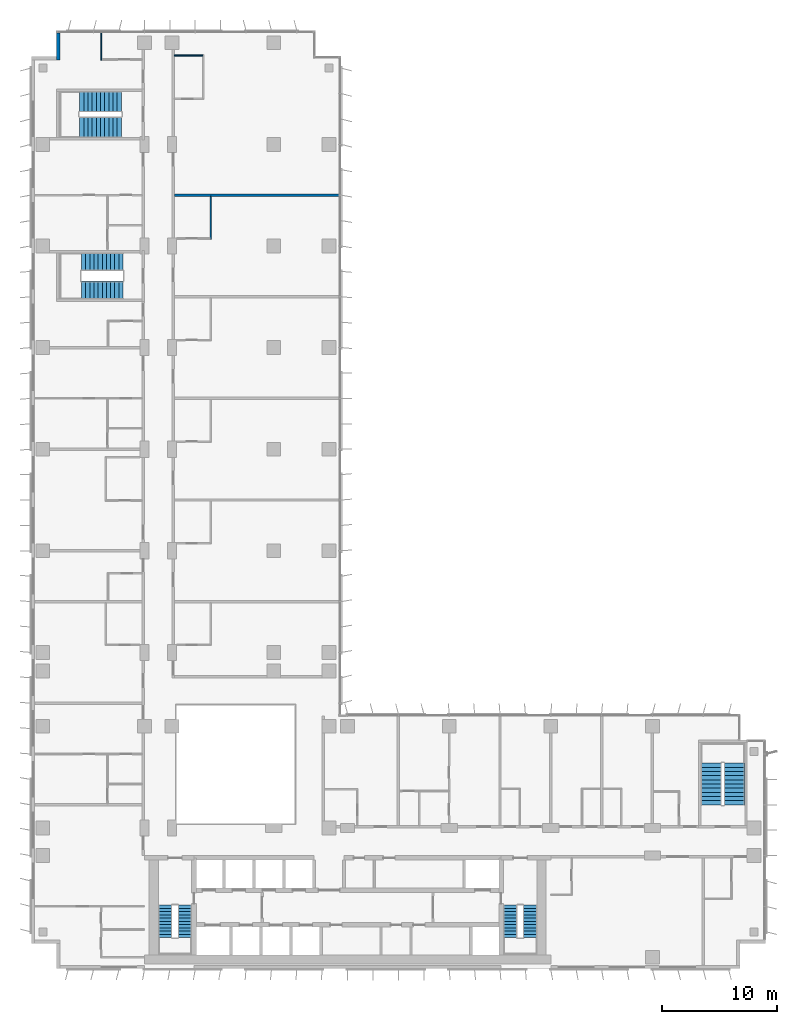
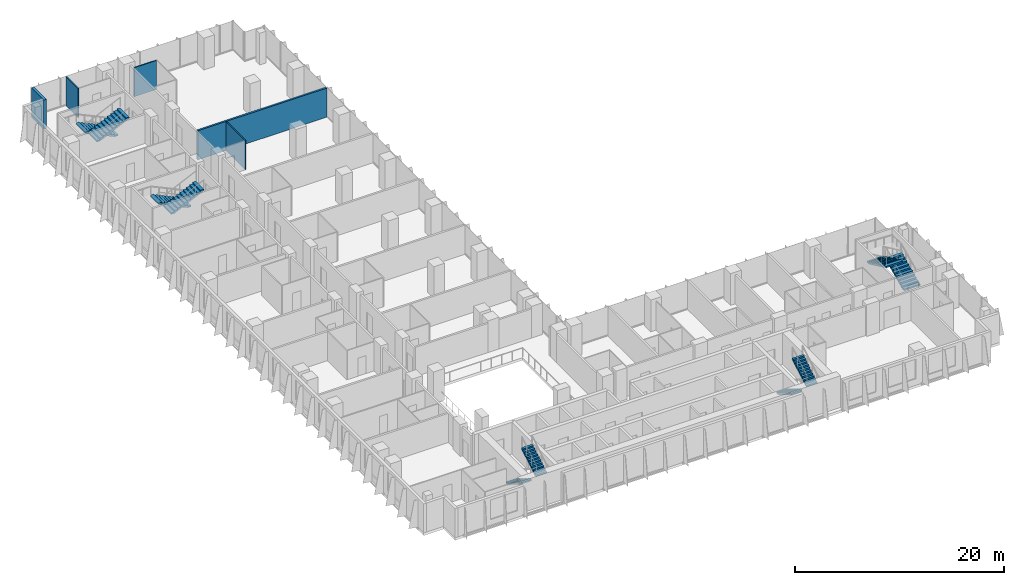
# One storey, part 18 of 22: 10 stair flights, 5 walls, 5 elements without a shape of their own.
"""IFC4 building model written with IfcOpenShell, lengths in metres."""

from ifc_helpers import new_model, si_unit, direction, frame, frame_2d, origin, place, context, subcontext, project, spatial, polyline, rectangle, outline, extrude, material, layer, layer_set, type_object, element, aggregate, save


model = new_model("IFC4")

# Units and contexts
model_context = context("Model", 3, precision=1e-05, world=origin(), true_north=direction((0.0, 1.0)))
body_context = subcontext(model_context, "Body", "Model", "MODEL_VIEW")
ifc_project = project(units=[si_unit("LENGTHUNIT", "METRE"), si_unit("AREAUNIT", "SQUARE_METRE"), si_unit("VOLUMEUNIT", "CUBIC_METRE"), si_unit("PLANEANGLEUNIT", "RADIAN"), si_unit("MASSUNIT", "GRAM", prefix="KILO")], contexts=[model_context])

# Site, building, storey
site_placement = place(None, origin())
site = spatial("IfcSite", under=ifc_project, at=site_placement, CompositionType="ELEMENT")
building_placement = place(site_placement, origin())
building = spatial("IfcBuilding", under=site, at=building_placement, Name="Kemantara Hotel Tower", CompositionType="ELEMENT")
storey_placement = place(building_placement, frame((0.0, 0.0, 145.699951171875)))
storey = spatial("IfcBuildingStorey", under=building, at=storey_placement, Name="L35", CompositionType="ELEMENT", Elevation=145.699951171875)

# Walls
ifc_material_1 = material(Name="Bronze anodised aluminium cladding on insulated steel stud wall", Category="steel")
ifc_layer_1 = layer(ifc_material_1, 0.300048828125)
ifc_layer_set_1 = layer_set([ifc_layer_1], Name="Bronze anodised aluminium cladding on insulated steel stud wall")
wall_type_1 = type_object("IfcWallType", Name="BRONZE METAL-CLAD EXTERNAL WALL 300", PredefinedType="STANDARD", material=ifc_layer_set_1)
wall_1_placement = place(storey_placement, frame((2.35009765625, 81.050048828125, 0.0), z_axis=(0.0, 0.0, 1.0), x_axis=(0.0, -1.0, 0.0)))
element("IfcWall", 1, at=wall_1_placement, inside=storey, type_object=wall_type_1, Name="EXTERNAL WALL L35 T2-R02", PredefinedType="STANDARD", context=body_context, shape_type="SweptSolid", body=[
    extrude(rectangle(XDim=2.35009765625, YDim=0.300048828125, at=frame_2d((1.175048828125, 0.0))), origin(), (0.0, 0.0, 1.0), 3.400146484375),
])
ifc_material_2 = material(Name="Gypsum board partition, steel studs and mineral wool, 200 mm", Category="steel")
ifc_layer_2 = layer(ifc_material_2, 0.199951171875)
ifc_layer_set_2 = layer_set([ifc_layer_2], Name="Gypsum board partition, steel studs and mineral wool, 200 mm")
wall_type_2 = type_object("IfcWallType", Name="GUEST ROOM PARTY WALL 200", PredefinedType="PARTITIONING", material=ifc_layer_set_2)
wall_2_placement = place(storey_placement, frame((12.39990234375, 67.0, 0.0), z_axis=(0.0, 0.0, 1.0), x_axis=(1.0, 0.0, 0.0)))
element("IfcWall", 2, at=wall_2_placement, inside=storey, type_object=wall_type_2, Name="GUEST ROOM PARTY WALL 200 044", PredefinedType="PARTITIONING", context=body_context, shape_type="SweptSolid", body=[
    extrude(rectangle(XDim=14.27001953125, YDim=0.199951171875, at=frame_2d((7.135009765625, 0.0))), origin(), (0.0, 0.0, 1.0), 3.400146484375),
])
ifc_material_3 = material(Name="Gypsum board partition on steel studs, 100 mm", Category="steel")
ifc_layer_3 = layer(ifc_material_3, 0.10009765625)
ifc_layer_set_3 = layer_set([ifc_layer_3], Name="Gypsum board partition on steel studs, 100 mm")
wall_type_3 = type_object("IfcWallType", Name="ROOM PARTITION 100", PredefinedType="PARTITIONING", material=ifc_layer_set_3)
wall_3_placement = place(storey_placement, frame((6.050048828125, 78.699951171875, 0.0), z_axis=(0.0, 0.0, 1.0), x_axis=(0.0, 1.0, 0.0)))
element("IfcWall", 3, at=wall_3_placement, inside=storey, type_object=wall_type_3, Name="ROOM PARTITION 100 063", PredefinedType="PARTITIONING", context=body_context, shape_type="SweptSolid", body=[
    extrude(rectangle(XDim=2.3701171875, YDim=0.10009765625, at=frame_2d((1.18505859375, 0.0))), origin(), (0.0, 0.0, 1.0), 3.400146484375),
])
wall_4_placement = place(storey_placement, frame((15.550048828125, 63.199951171875, 0.0), z_axis=(0.0, 0.0, 1.0), x_axis=(0.0, 1.0, 0.0)))
element("IfcWall", 4, at=wall_4_placement, inside=storey, type_object=wall_type_3, Name="ROOM PARTITION 100 091", PredefinedType="PARTITIONING", context=body_context, shape_type="SweptSolid", body=[
    extrude(rectangle(XDim=3.699951171875, YDim=0.10009765625, at=frame_2d((1.85009765625, 0.0))), origin(), (0.0, 0.0, 1.0), 3.400146484375),
])
wall_5_placement = place(storey_placement, frame((12.39990234375, 79.10009765625, 0.0), z_axis=(0.0, 0.0, 1.0), x_axis=(1.0, 0.0, 0.0)))
element("IfcWall", 5, at=wall_5_placement, inside=storey, type_object=wall_type_3, Name="ROOM PARTITION 100 098", PredefinedType="PARTITIONING", context=body_context, shape_type="SweptSolid", body=[
    extrude(rectangle(XDim=2.4501953125, YDim=0.10009765625, at=frame_2d((1.22509765625, 0.0))), origin(), (0.0, 0.0, 1.0), 3.400146484375),
])

# Stair, stair flights
ifc_material_4 = material(Name="Concrete fc 40 MPa", Category="concrete")
stair_type_1 = type_object("IfcStairType", Name="Stair 1200 wide 22 risers of 168 x 280 mm", PredefinedType="HALF_TURN_STAIR", material=ifc_material_4)
stair_1_placement = place(storey_placement, origin())
stair_1 = element("IfcStair", 6, at=stair_1_placement, inside=storey, type_object=stair_type_1, Name="L35 Exit stair ST1", PredefinedType="HALF_TURN_STAIR")
stair_flight_type_1 = type_object("IfcStairFlightType", Name="Stair flight 1200 wide 168 x 280 mm", PredefinedType="STRAIGHT", material=ifc_material_4)
stair_flight_1_placement = place(storey_placement, frame((11.60009765625, 5.5, 0.0), z_axis=(0.0, 0.0, 1.0), x_axis=(0.0, -1.0, 0.0)))
stair_flight_1 = element("IfcStairFlight", 7, at=stair_flight_1_placement, type_object=stair_flight_type_1, Name="ST1 flight 1", NumberOfRisers=11, NumberOfTreads=10, PredefinedType="STRAIGHT", RiserHeight=0.168181818, TreadLength=0.28, context=body_context, shape_type="SweptSolid", body=[
    extrude(outline(polyline([(0.0, 0.0), (0.0, 0.168212890625), (0.280029296875, 0.168212890625), (0.280029296875, 0.33642578125), (0.56005859375, 0.33642578125), (0.56005859375, 0.504638671875), (0.840087890625, 0.504638671875), (0.840087890625, 0.672607421875), (1.1201171875, 0.672607421875), (1.1201171875, 0.8408203125), (1.39990234375, 0.8408203125), (1.39990234375, 1.009033203125), (1.679931640625, 1.009033203125), (1.679931640625, 1.17724609375), (1.9599609375, 1.17724609375), (1.9599609375, 1.345458984375), (2.239990234375, 1.345458984375), (2.239990234375, 1.513671875), (2.52001953125, 1.513671875), (2.52001953125, 1.681884765625), (2.800048828125, 1.681884765625), (2.800048828125, 1.85009765625), (2.800048828125, 1.5068359375), (0.291015625, 0.0), (0.0, 0.0)])), frame((0.0, 0.60009765625, 0.0), z_axis=(0.0, -1.0, 0.0), x_axis=(1.0, 0.0, 0.0)), (0.0, 0.0, 1.0), 1.199951171875),
])
stair_flight_2_placement = place(storey_placement, frame((13.300048828125, 2.699951171875, 1.85009765625), z_axis=(0.0, 0.0, 1.0), x_axis=(0.0, 1.0, 0.0)))
stair_flight_2 = element("IfcStairFlight", 8, at=stair_flight_2_placement, type_object=stair_flight_type_1, Name="ST1 flight 2", NumberOfRisers=11, NumberOfTreads=10, PredefinedType="STRAIGHT", RiserHeight=0.168181818, TreadLength=0.28, context=body_context, shape_type="SweptSolid", body=[
    extrude(outline(polyline([(0.0, 0.0), (0.0, 0.168212890625), (0.280029296875, 0.168212890625), (0.280029296875, 0.33642578125), (0.56005859375, 0.33642578125), (0.56005859375, 0.504638671875), (0.840087890625, 0.504638671875), (0.840087890625, 0.672607421875), (1.1201171875, 0.672607421875), (1.1201171875, 0.8408203125), (1.39990234375, 0.8408203125), (1.39990234375, 1.009033203125), (1.679931640625, 1.009033203125), (1.679931640625, 1.17724609375), (1.9599609375, 1.17724609375), (1.9599609375, 1.345458984375), (2.239990234375, 1.345458984375), (2.239990234375, 1.513671875), (2.52001953125, 1.513671875), (2.52001953125, 1.681884765625), (2.800048828125, 1.681884765625), (2.800048828125, 1.85009765625), (2.800048828125, 1.5068359375), (0.291015625, 0.0), (0.0, 0.0)])), frame((0.0, 0.60009765625, 0.0), z_axis=(0.0, -1.0, 0.0), x_axis=(1.0, 0.0, 0.0)), (0.0, 0.0, 1.0), 1.199951171875),
])
aggregate(stair_1, [stair_flight_1, stair_flight_2])

stair_2_placement = place(storey_placement, origin())
stair_2 = element("IfcStair", 9, at=stair_2_placement, inside=storey, type_object=stair_type_1, Name="L35 Exit stair ST2", PredefinedType="HALF_TURN_STAIR")
stair_flight_3_placement = place(storey_placement, frame((41.5, 5.5, 0.0), z_axis=(0.0, 0.0, 1.0), x_axis=(0.0, -1.0, 0.0)))
stair_flight_3 = element("IfcStairFlight", 10, at=stair_flight_3_placement, type_object=stair_flight_type_1, Name="ST2 flight 1", NumberOfRisers=11, NumberOfTreads=10, PredefinedType="STRAIGHT", RiserHeight=0.168181818, TreadLength=0.28, context=body_context, shape_type="SweptSolid", body=[
    extrude(outline(polyline([(0.0, 0.0), (0.0, 0.168212890625), (0.280029296875, 0.168212890625), (0.280029296875, 0.33642578125), (0.56005859375, 0.33642578125), (0.56005859375, 0.504638671875), (0.840087890625, 0.504638671875), (0.840087890625, 0.672607421875), (1.1201171875, 0.672607421875), (1.1201171875, 0.8408203125), (1.39990234375, 0.8408203125), (1.39990234375, 1.009033203125), (1.679931640625, 1.009033203125), (1.679931640625, 1.17724609375), (1.9599609375, 1.17724609375), (1.9599609375, 1.345458984375), (2.239990234375, 1.345458984375), (2.239990234375, 1.513671875), (2.52001953125, 1.513671875), (2.52001953125, 1.681884765625), (2.800048828125, 1.681884765625), (2.800048828125, 1.85009765625), (2.800048828125, 1.5068359375), (0.291015625, 0.0), (0.0, 0.0)])), frame((0.0, 0.60009765625, 0.0), z_axis=(0.0, -1.0, 0.0), x_axis=(1.0, 0.0, 0.0)), (0.0, 0.0, 1.0), 1.199951171875),
])
stair_flight_4_placement = place(storey_placement, frame((43.199951171875, 2.699951171875, 1.85009765625), z_axis=(0.0, 0.0, 1.0), x_axis=(0.0, 1.0, 0.0)))
stair_flight_4 = element("IfcStairFlight", 11, at=stair_flight_4_placement, type_object=stair_flight_type_1, Name="ST2 flight 2", NumberOfRisers=11, NumberOfTreads=10, PredefinedType="STRAIGHT", RiserHeight=0.168181818, TreadLength=0.28, context=body_context, shape_type="SweptSolid", body=[
    extrude(outline(polyline([(0.0, 0.0), (0.0, 0.168212890625), (0.280029296875, 0.168212890625), (0.280029296875, 0.33642578125), (0.56005859375, 0.33642578125), (0.56005859375, 0.504638671875), (0.840087890625, 0.504638671875), (0.840087890625, 0.672607421875), (1.1201171875, 0.672607421875), (1.1201171875, 0.8408203125), (1.39990234375, 0.8408203125), (1.39990234375, 1.009033203125), (1.679931640625, 1.009033203125), (1.679931640625, 1.17724609375), (1.9599609375, 1.17724609375), (1.9599609375, 1.345458984375), (2.239990234375, 1.345458984375), (2.239990234375, 1.513671875), (2.52001953125, 1.513671875), (2.52001953125, 1.681884765625), (2.800048828125, 1.681884765625), (2.800048828125, 1.85009765625), (2.800048828125, 1.5068359375), (0.291015625, 0.0), (0.0, 0.0)])), frame((0.0, 0.60009765625, 0.0), z_axis=(0.0, -1.0, 0.0), x_axis=(1.0, 0.0, 0.0)), (0.0, 0.0, 1.0), 1.199951171875),
])
aggregate(stair_2, [stair_flight_3, stair_flight_4])

stair_type_2 = type_object("IfcStairType", Name="Stair 1550 wide 22 risers of 168 x 360 mm", PredefinedType="HALF_TURN_STAIR", material=ifc_material_4)
stair_3_placement = place(storey_placement, origin())
stair_3 = element("IfcStair", 12, at=stair_3_placement, inside=storey, type_object=stair_type_2, Name="L35 Exit stair ST4", PredefinedType="HALF_TURN_STAIR")
stair_flight_type_2 = type_object("IfcStairFlightType", Name="Stair flight 1550 wide 168 x 360 mm", PredefinedType="STRAIGHT", material=ifc_material_4)
stair_flight_5_placement = place(storey_placement, frame((7.949951171875, 61.22509765625, 0.0), z_axis=(0.0, 0.0, 1.0), x_axis=(-1.0, 0.0, 0.0)))
stair_flight_5 = element("IfcStairFlight", 13, at=stair_flight_5_placement, type_object=stair_flight_type_2, Name="ST4 flight 1", NumberOfRisers=11, NumberOfTreads=10, PredefinedType="STRAIGHT", RiserHeight=0.168181818, TreadLength=0.36, context=body_context, shape_type="SweptSolid", body=[
    extrude(outline(polyline([(0.0, 0.0), (0.0, 0.168212890625), (0.360107421875, 0.168212890625), (0.360107421875, 0.33642578125), (0.719970703125, 0.33642578125), (0.719970703125, 0.504638671875), (1.080078125, 0.504638671875), (1.080078125, 0.672607421875), (1.43994140625, 0.672607421875), (1.43994140625, 0.8408203125), (1.800048828125, 0.8408203125), (1.800048828125, 1.009033203125), (2.159912109375, 1.009033203125), (2.159912109375, 1.17724609375), (2.52001953125, 1.17724609375), (2.52001953125, 1.345458984375), (2.8798828125, 1.345458984375), (2.8798828125, 1.513671875), (3.239990234375, 1.513671875), (3.239990234375, 1.681884765625), (3.60009765625, 1.681884765625), (3.60009765625, 1.85009765625), (3.60009765625, 1.516357421875), (0.354248046875, 0.0), (0.0, 0.0)])), frame((0.0, 0.77490234375, 0.0), z_axis=(0.0, -1.0, 0.0), x_axis=(1.0, 0.0, 0.0)), (0.0, 0.0, 1.0), 1.550048828125),
])
stair_flight_6_placement = place(storey_placement, frame((4.35009765625, 58.77490234375, 1.85009765625), z_axis=(0.0, 0.0, 1.0), x_axis=(1.0, 0.0, 0.0)))
stair_flight_6 = element("IfcStairFlight", 14, at=stair_flight_6_placement, type_object=stair_flight_type_2, Name="ST4 flight 2", NumberOfRisers=11, NumberOfTreads=10, PredefinedType="STRAIGHT", RiserHeight=0.168181818, TreadLength=0.36, context=body_context, shape_type="SweptSolid", body=[
    extrude(outline(polyline([(0.0, 0.0), (0.0, 0.168212890625), (0.360107421875, 0.168212890625), (0.360107421875, 0.33642578125), (0.719970703125, 0.33642578125), (0.719970703125, 0.504638671875), (1.080078125, 0.504638671875), (1.080078125, 0.672607421875), (1.43994140625, 0.672607421875), (1.43994140625, 0.8408203125), (1.800048828125, 0.8408203125), (1.800048828125, 1.009033203125), (2.159912109375, 1.009033203125), (2.159912109375, 1.17724609375), (2.52001953125, 1.17724609375), (2.52001953125, 1.345458984375), (2.8798828125, 1.345458984375), (2.8798828125, 1.513671875), (3.239990234375, 1.513671875), (3.239990234375, 1.681884765625), (3.60009765625, 1.681884765625), (3.60009765625, 1.85009765625), (3.60009765625, 1.516357421875), (0.354248046875, 0.0), (0.0, 0.0)])), frame((0.0, 0.77490234375, 0.0), z_axis=(0.0, -1.0, 0.0), x_axis=(1.0, 0.0, 0.0)), (0.0, 0.0, 1.0), 1.550048828125),
])
aggregate(stair_3, [stair_flight_5, stair_flight_6])

stair_type_3 = type_object("IfcStairType", Name="Stair 1800 wide 22 risers of 168 x 360 mm", PredefinedType="HALF_TURN_STAIR", material=ifc_material_4)
stair_4_placement = place(storey_placement, origin())
stair_4 = element("IfcStair", 15, at=stair_4_placement, inside=storey, type_object=stair_type_3, Name="L35 Exit stair ST3", PredefinedType="HALF_TURN_STAIR")
stair_flight_type_3 = type_object("IfcStairFlightType", Name="Stair flight 1800 wide 168 x 360 mm", PredefinedType="STRAIGHT", material=ifc_material_4)
stair_flight_7_placement = place(storey_placement, frame((60.89990234375, 14.199951171875, 0.0), z_axis=(0.0, 0.0, 1.0), x_axis=(0.0, 1.0, 0.0)))
stair_flight_7 = element("IfcStairFlight", 16, at=stair_flight_7_placement, type_object=stair_flight_type_3, Name="ST3 flight 1", NumberOfRisers=11, NumberOfTreads=10, PredefinedType="STRAIGHT", RiserHeight=0.168181818, TreadLength=0.36, context=body_context, shape_type="SweptSolid", body=[
    extrude(outline(polyline([(0.0, 0.0), (0.0, 0.168212890625), (0.360107421875, 0.168212890625), (0.360107421875, 0.33642578125), (0.719970703125, 0.33642578125), (0.719970703125, 0.504638671875), (1.080078125, 0.504638671875), (1.080078125, 0.672607421875), (1.43994140625, 0.672607421875), (1.43994140625, 0.8408203125), (1.800048828125, 0.8408203125), (1.800048828125, 1.009033203125), (2.159912109375, 1.009033203125), (2.159912109375, 1.17724609375), (2.52001953125, 1.17724609375), (2.52001953125, 1.345458984375), (2.8798828125, 1.345458984375), (2.8798828125, 1.513671875), (3.239990234375, 1.513671875), (3.239990234375, 1.681884765625), (3.60009765625, 1.681884765625), (3.60009765625, 1.85009765625), (3.60009765625, 1.516357421875), (0.354248046875, 0.0), (0.0, 0.0)])), frame((0.0, 0.89990234375, 0.0), z_axis=(0.0, -1.0, 0.0), x_axis=(1.0, 0.0, 0.0)), (0.0, 0.0, 1.0), 1.800048828125),
])
stair_flight_8_placement = place(storey_placement, frame((58.89990234375, 17.800048828125, 1.85009765625), z_axis=(0.0, 0.0, 1.0), x_axis=(0.0, -1.0, 0.0)))
stair_flight_8 = element("IfcStairFlight", 17, at=stair_flight_8_placement, type_object=stair_flight_type_3, Name="ST3 flight 2", NumberOfRisers=11, NumberOfTreads=10, PredefinedType="STRAIGHT", RiserHeight=0.168181818, TreadLength=0.36, context=body_context, shape_type="SweptSolid", body=[
    extrude(outline(polyline([(0.0, 0.0), (0.0, 0.168212890625), (0.360107421875, 0.168212890625), (0.360107421875, 0.33642578125), (0.719970703125, 0.33642578125), (0.719970703125, 0.504638671875), (1.080078125, 0.504638671875), (1.080078125, 0.672607421875), (1.43994140625, 0.672607421875), (1.43994140625, 0.8408203125), (1.800048828125, 0.8408203125), (1.800048828125, 1.009033203125), (2.159912109375, 1.009033203125), (2.159912109375, 1.17724609375), (2.52001953125, 1.17724609375), (2.52001953125, 1.345458984375), (2.8798828125, 1.345458984375), (2.8798828125, 1.513671875), (3.239990234375, 1.513671875), (3.239990234375, 1.681884765625), (3.60009765625, 1.681884765625), (3.60009765625, 1.85009765625), (3.60009765625, 1.516357421875), (0.354248046875, 0.0), (0.0, 0.0)])), frame((0.0, 0.89990234375, 0.0), z_axis=(0.0, -1.0, 0.0), x_axis=(1.0, 0.0, 0.0)), (0.0, 0.0, 1.0), 1.800048828125),
])
aggregate(stair_4, [stair_flight_7, stair_flight_8])

stair_5_placement = place(storey_placement, origin())
stair_5 = element("IfcStair", 18, at=stair_5_placement, inside=storey, type_object=stair_type_3, Name="L35 Exit stair ST6", PredefinedType="HALF_TURN_STAIR")
stair_flight_9_placement = place(storey_placement, frame((7.800048828125, 75.10009765625, 0.0), z_axis=(0.0, 0.0, 1.0), x_axis=(-1.0, 0.0, 0.0)))
stair_flight_9 = element("IfcStairFlight", 19, at=stair_flight_9_placement, type_object=stair_flight_type_3, Name="ST6 flight 1", NumberOfRisers=11, NumberOfTreads=10, PredefinedType="STRAIGHT", RiserHeight=0.168181818, TreadLength=0.36, context=body_context, shape_type="SweptSolid", body=[
    extrude(outline(polyline([(0.0, 0.0), (0.0, 0.168212890625), (0.360107421875, 0.168212890625), (0.360107421875, 0.33642578125), (0.719970703125, 0.33642578125), (0.719970703125, 0.504638671875), (1.080078125, 0.504638671875), (1.080078125, 0.672607421875), (1.43994140625, 0.672607421875), (1.43994140625, 0.8408203125), (1.800048828125, 0.8408203125), (1.800048828125, 1.009033203125), (2.159912109375, 1.009033203125), (2.159912109375, 1.17724609375), (2.52001953125, 1.17724609375), (2.52001953125, 1.345458984375), (2.8798828125, 1.345458984375), (2.8798828125, 1.513671875), (3.239990234375, 1.513671875), (3.239990234375, 1.681884765625), (3.60009765625, 1.681884765625), (3.60009765625, 1.85009765625), (3.60009765625, 1.516357421875), (0.354248046875, 0.0), (0.0, 0.0)])), frame((0.0, 0.89990234375, 0.0), z_axis=(0.0, -1.0, 0.0), x_axis=(1.0, 0.0, 0.0)), (0.0, 0.0, 1.0), 1.800048828125),
])
stair_flight_10_placement = place(storey_placement, frame((4.199951171875, 72.89990234375, 1.85009765625), z_axis=(0.0, 0.0, 1.0), x_axis=(1.0, 0.0, 0.0)))
stair_flight_10 = element("IfcStairFlight", 20, at=stair_flight_10_placement, type_object=stair_flight_type_3, Name="ST6 flight 2", NumberOfRisers=11, NumberOfTreads=10, PredefinedType="STRAIGHT", RiserHeight=0.168181818, TreadLength=0.36, context=body_context, shape_type="SweptSolid", body=[
    extrude(outline(polyline([(0.0, 0.0), (0.0, 0.168212890625), (0.360107421875, 0.168212890625), (0.360107421875, 0.33642578125), (0.719970703125, 0.33642578125), (0.719970703125, 0.504638671875), (1.080078125, 0.504638671875), (1.080078125, 0.672607421875), (1.43994140625, 0.672607421875), (1.43994140625, 0.8408203125), (1.800048828125, 0.8408203125), (1.800048828125, 1.009033203125), (2.159912109375, 1.009033203125), (2.159912109375, 1.17724609375), (2.52001953125, 1.17724609375), (2.52001953125, 1.345458984375), (2.8798828125, 1.345458984375), (2.8798828125, 1.513671875), (3.239990234375, 1.513671875), (3.239990234375, 1.681884765625), (3.60009765625, 1.681884765625), (3.60009765625, 1.85009765625), (3.60009765625, 1.516357421875), (0.354248046875, 0.0), (0.0, 0.0)])), frame((0.0, 0.89990234375, 0.0), z_axis=(0.0, -1.0, 0.0), x_axis=(1.0, 0.0, 0.0)), (0.0, 0.0, 1.0), 1.800048828125),
])
aggregate(stair_5, [stair_flight_9, stair_flight_10])

save(model, "model.ifc")
